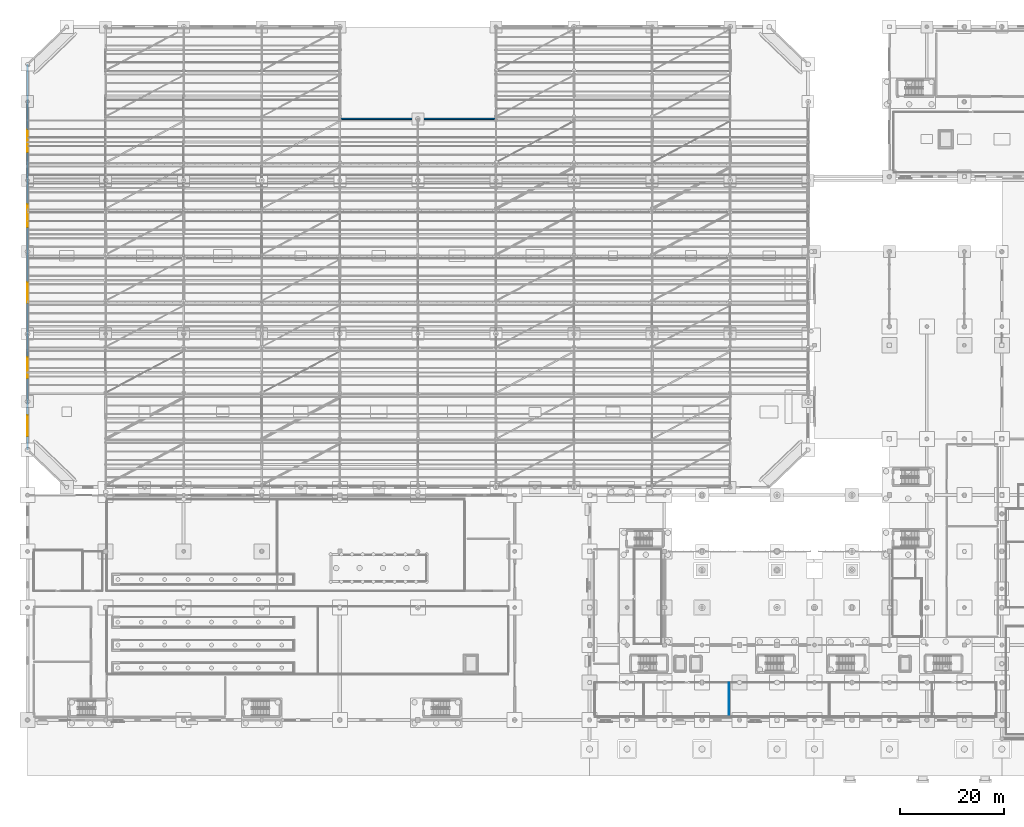
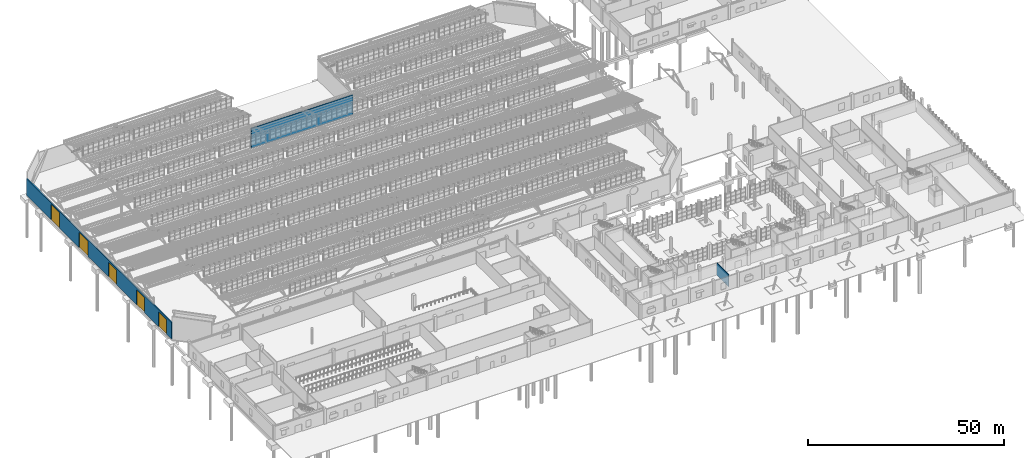
# One storey, part 255 of 285: 5 doors, 3 walls, 5 openings.
"""IFC4 building model written with IfcOpenShell, lengths in metres."""

from ifc_helpers import new_model, si_unit, direction, frame, frame_2d, origin, place, context, subcontext, project, spatial, rectangle, extrude, material, layer, layer_set, type_object, element, fill, save


model = new_model("IFC4")

# Units and contexts
model_context = context("Model", 3, precision=1e-05, world=origin(), true_north=direction((0.0, 1.0)))
body_context = subcontext(model_context, "Body", "Model", "MODEL_VIEW")
ifc_project = project(units=[si_unit("LENGTHUNIT", "METRE"), si_unit("AREAUNIT", "SQUARE_METRE"), si_unit("VOLUMEUNIT", "CUBIC_METRE"), si_unit("PLANEANGLEUNIT", "RADIAN"), si_unit("MASSUNIT", "GRAM", prefix="KILO")], contexts=[model_context])

# Site, building, storey
site_placement = place(None, origin())
site = spatial("IfcSite", under=ifc_project, at=site_placement, CompositionType="ELEMENT")
building_placement = place(site_placement, origin())
building = spatial("IfcBuilding", under=site, at=building_placement, Name="Solanera Park Tramway Depot", CompositionType="ELEMENT")
storey_placement = place(building_placement, origin())
storey = spatial("IfcBuildingStorey", under=building, at=storey_placement, Name="L00", CompositionType="ELEMENT", Elevation=0.0)

# Walls
ifc_material_1 = material(Name="Concrete N32 (C32/40)", Category="concrete")
ifc_layer_1 = layer(ifc_material_1, 0.14990234375)
ifc_layer_set_1 = layer_set([ifc_layer_1], Name="Concrete N32 (C32/40)")
wall_type_1 = type_object("IfcWallType", Name="Acoustic Partition 150", PredefinedType="PARTITIONING", material=ifc_layer_set_1)
wall_1_placement = place(storey_placement, frame((134.800048828125, 11.85009765625, 0.0), z_axis=(0.0, 0.0, 1.0), x_axis=(0.0, 1.0, 0.0)))
element("IfcWall", 1, at=wall_1_placement, inside=storey, type_object=wall_type_1, Name="Depot Sign-On and Dispatch Lobby Dividing Wall", PredefinedType="PARTITIONING", context=body_context, shape_type="SweptSolid", body=[
    extrude(rectangle(XDim=6.14990234375, YDim=0.14990234375, at=frame_2d((3.074951171875, 0.0))), origin(), (0.0, 0.0, 1.0), 3.757080078125),
])
ifc_material_2 = material(Name="Concrete N32 (C32/40)", Category="concrete")
ifc_layer_2 = layer(ifc_material_2, 0.320068359375)
ifc_layer_set_2 = layer_set([ifc_layer_2], Name="Concrete N32 (C32/40)")
wall_type_2 = type_object("IfcWallType", Name="Ext Stucco Wall 320", PredefinedType="SOLIDWALL", material=ifc_layer_set_2)
wall_2_placement = place(storey_placement, frame((90.0, 126.300048828125, 0.0), z_axis=(0.0, 0.0, 1.0), x_axis=(-1.0, 0.0, 0.0)))
element("IfcWall", 2, at=wall_2_placement, inside=storey, type_object=wall_type_2, Name="L00 V1 Perimeter Wall V1-NRM", PredefinedType="SOLIDWALL", context=body_context, shape_type="SweptSolid", body=[
    extrude(rectangle(XDim=30.0, YDim=0.320068359375, at=frame_2d((15.0, 0.0))), origin(), (0.0, 0.0, 1.0), 6.219482421875),
])

# Wall, openings, doors
ifc_material_3 = material(Name="Concrete N32 (C32/40)", Category="concrete")
ifc_layer_3 = layer(ifc_material_3, 0.35009765625)
ifc_layer_set_3 = layer_set([ifc_layer_3], Name="Concrete N32 (C32/40)")
wall_type_3 = type_object("IfcWallType", Name="Ext Stucco Wall 350", PredefinedType="SOLIDWALL", material=ifc_layer_set_3)
wall_3_placement = place(storey_placement, frame((0.0, 136.800048828125, 0.0), z_axis=(0.0, 0.0, 1.0), x_axis=(0.0, -1.0, 0.0)))
wall_3 = element("IfcWall", 3, at=wall_3_placement, inside=storey, type_object=wall_type_3, Name="L00 V1 Perimeter Wall V1-W", PredefinedType="SOLIDWALL", context=body_context, shape_type="SweptSolid", body=[
    extrude(rectangle(XDim=74.10009765625, YDim=0.35009765625, at=frame_2d((37.050048828125, 0.0))), origin(), (0.0, 0.0, 1.0), 5.236083984375),
])
opening_1_placement = place(wall_3_placement, frame((12.550048828125, 0.0, 0.0)))
opening_1 = element("IfcOpeningElement", 4, at=opening_1_placement, cuts=wall_3, Name="Opening VG-01", PredefinedType="OPENING", context=body_context, shape_type="SweptSolid", body=[
    extrude(rectangle(XDim=4.39990234375, YDim=4.800048828125, at=frame_2d((2.199951171875, 2.39990234375))), frame((0.0, 0.18505859375, 0.0), z_axis=(0.0, -1.0, 0.0), x_axis=(1.0, 0.0, 0.0)), (0.0, 0.0, 1.0), 0.3701171875),
])
opening_2_placement = place(wall_3_placement, frame((26.949951171875, 0.0, 0.0)))
opening_2 = element("IfcOpeningElement", 5, at=opening_2_placement, cuts=wall_3, Name="Opening VG-01", PredefinedType="OPENING", context=body_context, shape_type="SweptSolid", body=[
    extrude(rectangle(XDim=4.39990234375, YDim=4.800048828125, at=frame_2d((2.199951171875, 2.39990234375))), frame((0.0, 0.18505859375, 0.0), z_axis=(0.0, -1.0, 0.0), x_axis=(1.0, 0.0, 0.0)), (0.0, 0.0, 1.0), 0.3701171875),
])
opening_3_placement = place(wall_3_placement, frame((41.89990234375, 0.0, 0.0)))
opening_3 = element("IfcOpeningElement", 6, at=opening_3_placement, cuts=wall_3, Name="Opening VG-02", PredefinedType="OPENING", context=body_context, shape_type="SweptSolid", body=[
    extrude(rectangle(XDim=4.0, YDim=4.60009765625, at=frame_2d((2.0, 2.300048828125))), frame((0.0, 0.18505859375, 0.0), z_axis=(0.0, -1.0, 0.0), x_axis=(1.0, 0.0, 0.0)), (0.0, 0.0, 1.0), 0.3701171875),
])
opening_4_placement = place(wall_3_placement, frame((56.300048828125, 0.0, 0.0)))
opening_4 = element("IfcOpeningElement", 7, at=opening_4_placement, cuts=wall_3, Name="Opening VG-02", PredefinedType="OPENING", context=body_context, shape_type="SweptSolid", body=[
    extrude(rectangle(XDim=4.0, YDim=4.60009765625, at=frame_2d((2.0, 2.300048828125))), frame((0.0, 0.18505859375, 0.0), z_axis=(0.0, -1.0, 0.0), x_axis=(1.0, 0.0, 0.0)), (0.0, 0.0, 1.0), 0.3701171875),
])
opening_5_placement = place(wall_3_placement, frame((67.449951171875, 0.0, 0.0)))
opening_5 = element("IfcOpeningElement", 8, at=opening_5_placement, cuts=wall_3, Name="Opening VG-02", PredefinedType="OPENING", context=body_context, shape_type="SweptSolid", body=[
    extrude(rectangle(XDim=4.0, YDim=4.60009765625, at=frame_2d((2.0, 2.300048828125))), frame((0.0, 0.18505859375, 0.0), z_axis=(0.0, -1.0, 0.0), x_axis=(1.0, 0.0, 0.0)), (0.0, 0.0, 1.0), 0.3701171875),
])
ifc_material_4 = material(Name="Powder-coated aluminium and steel portal leaf", Category="steel")
door_type_1 = type_object("IfcDoorType", Name="Electric Bus Overhead Door 4000x4600", OperationType="ROLLINGUP", PredefinedType="GATE", material=ifc_material_4)
door_1_placement = place(opening_3_placement, origin())
door_1 = element("IfcDoor", 9, at=door_1_placement, inside=storey, type_object=door_type_1, Name="Rolling-Stock Portal Door VG-02 #0015", OperationType="ROLLINGUP", OverallHeight=4.60009765625, OverallWidth=4.0, PredefinedType="GATE", context=body_context, shape_type="SweptSolid", body=[
    extrude(rectangle(XDim=4.0, YDim=4.60009765625, at=frame_2d((2.0, 2.300048828125))), frame((0.0, 0.02490234375, 0.0), z_axis=(0.0, -1.0, 0.0), x_axis=(1.0, 0.0, 0.0)), (0.0, 0.0, 1.0), 0.050048828125),
])
fill(opening_3, door_1)
door_2_placement = place(opening_4_placement, origin())
door_2 = element("IfcDoor", 10, at=door_2_placement, inside=storey, type_object=door_type_1, Name="Rolling-Stock Portal Door VG-02 #0016", OperationType="ROLLINGUP", OverallHeight=4.60009765625, OverallWidth=4.0, PredefinedType="GATE", context=body_context, shape_type="SweptSolid", body=[
    extrude(rectangle(XDim=4.0, YDim=4.60009765625, at=frame_2d((2.0, 2.300048828125))), frame((0.0, 0.02490234375, 0.0), z_axis=(0.0, -1.0, 0.0), x_axis=(1.0, 0.0, 0.0)), (0.0, 0.0, 1.0), 0.050048828125),
])
fill(opening_4, door_2)
door_3_placement = place(opening_5_placement, origin())
door_3 = element("IfcDoor", 11, at=door_3_placement, inside=storey, type_object=door_type_1, Name="Rolling-Stock Portal Door VG-02 #0017", OperationType="ROLLINGUP", OverallHeight=4.60009765625, OverallWidth=4.0, PredefinedType="GATE", context=body_context, shape_type="SweptSolid", body=[
    extrude(rectangle(XDim=4.0, YDim=4.60009765625, at=frame_2d((2.0, 2.300048828125))), frame((0.0, 0.02490234375, 0.0), z_axis=(0.0, -1.0, 0.0), x_axis=(1.0, 0.0, 0.0)), (0.0, 0.0, 1.0), 0.050048828125),
])
fill(opening_5, door_3)
ifc_material_5 = material(Name="Powder-coated aluminium and steel portal leaf", Category="steel")
door_type_2 = type_object("IfcDoorType", Name="Tramway Bi-Fold Portal Door 4400x4800", OperationType="FOLDING_TO_LEFT", PredefinedType="GATE", material=ifc_material_5)
door_4_placement = place(opening_1_placement, origin())
door_4 = element("IfcDoor", 12, at=door_4_placement, inside=storey, type_object=door_type_2, Name="Rolling-Stock Portal Door VG-01 #0013", OperationType="FOLDING_TO_LEFT", OverallHeight=4.800048828125, OverallWidth=4.39990234375, PredefinedType="GATE", context=body_context, shape_type="SweptSolid", body=[
    extrude(rectangle(XDim=4.39990234375, YDim=4.800048828125, at=frame_2d((2.199951171875, 2.39990234375))), frame((0.0, 0.02490234375, 0.0), z_axis=(0.0, -1.0, 0.0), x_axis=(1.0, 0.0, 0.0)), (0.0, 0.0, 1.0), 0.050048828125),
])
fill(opening_1, door_4)
door_5_placement = place(opening_2_placement, origin())
door_5 = element("IfcDoor", 13, at=door_5_placement, inside=storey, type_object=door_type_2, Name="Rolling-Stock Portal Door VG-01 #0014", OperationType="FOLDING_TO_LEFT", OverallHeight=4.800048828125, OverallWidth=4.39990234375, PredefinedType="GATE", context=body_context, shape_type="SweptSolid", body=[
    extrude(rectangle(XDim=4.39990234375, YDim=4.800048828125, at=frame_2d((2.199951171875, 2.39990234375))), frame((0.0, 0.02490234375, 0.0), z_axis=(0.0, -1.0, 0.0), x_axis=(1.0, 0.0, 0.0)), (0.0, 0.0, 1.0), 0.050048828125),
])
fill(opening_2, door_5)

save(model, "model.ifc")
